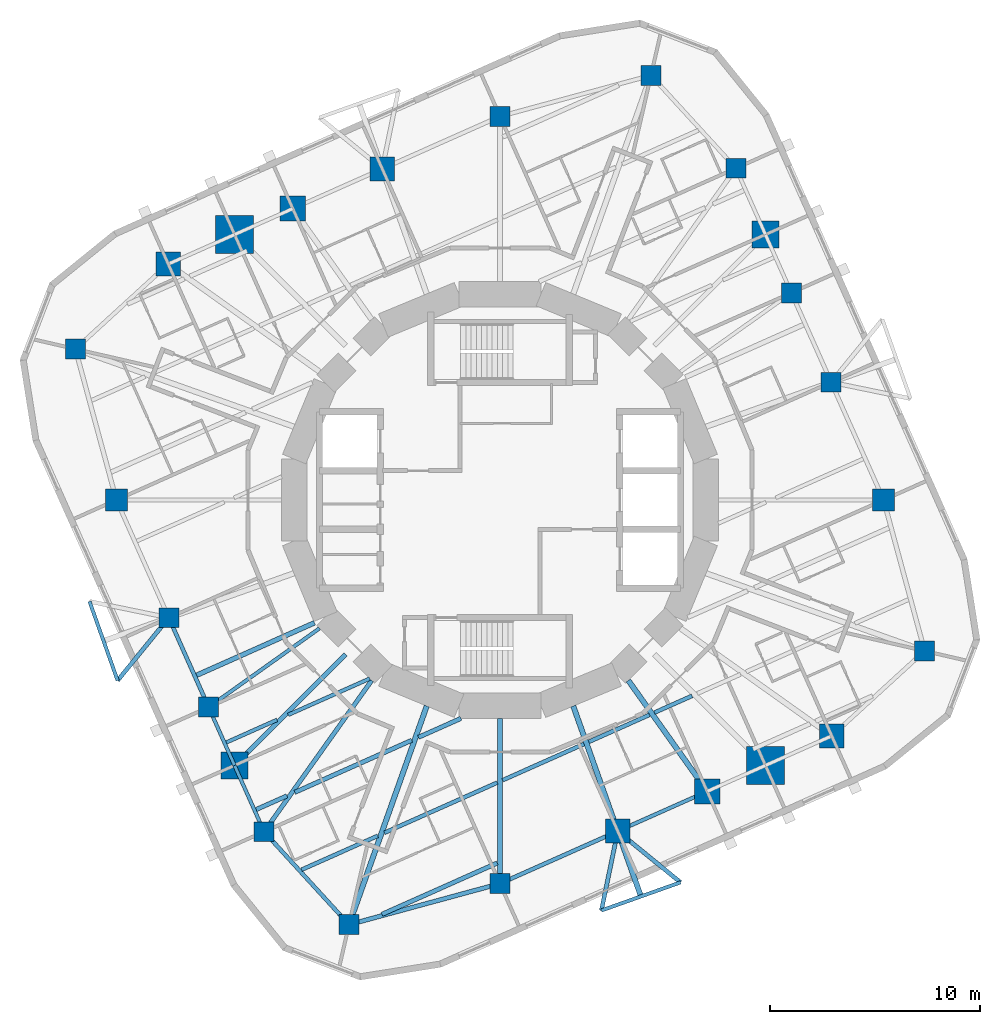
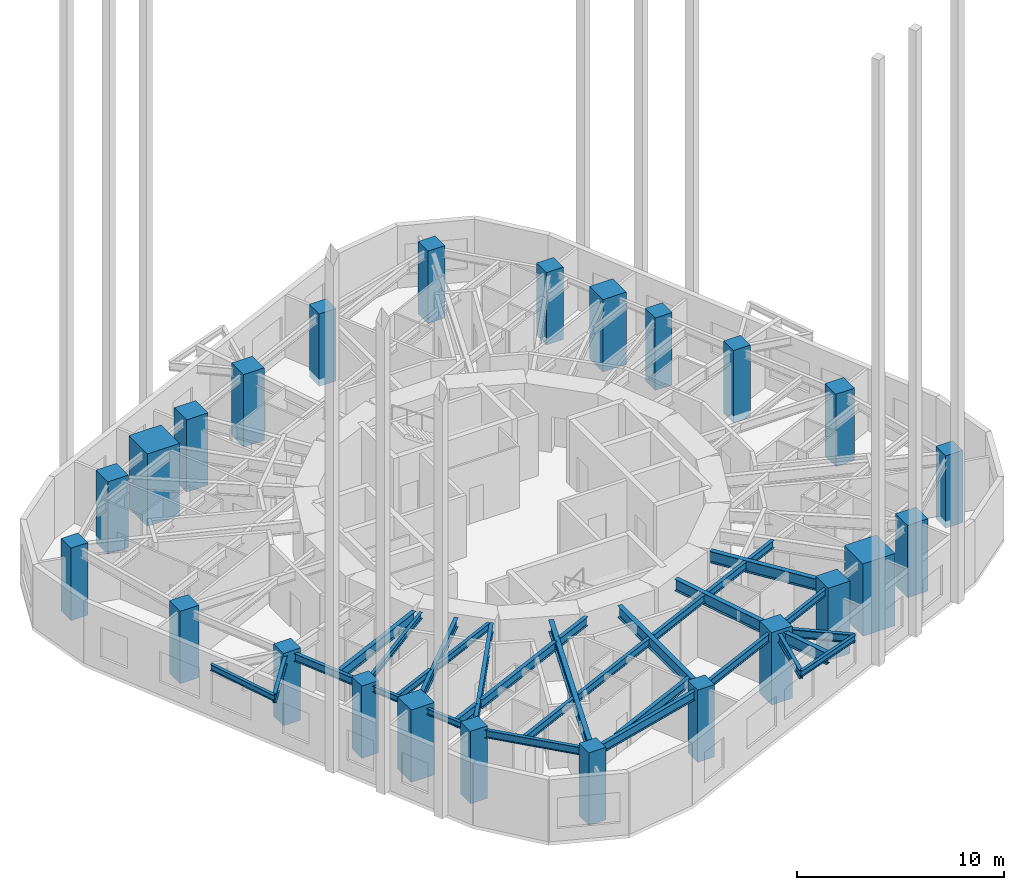
# One storey, part 1 of 11: 31 beams, 24 columns.
"""IFC4 building model written with IfcOpenShell, lengths in metres."""

from ifc_helpers import new_model, si_unit, direction, frame, origin, origin_2d, place, context, subcontext, project, spatial, rectangle, i_section, extrude, material, material_profile, profile_set, type_object, element, save


model = new_model("IFC4")

# Units and contexts
model_context = context("Model", 3, precision=1e-05, world=origin(), true_north=direction((0.0, 1.0)))
body_context = subcontext(model_context, "Body", "Model", "MODEL_VIEW")
ifc_project = project(units=[si_unit("LENGTHUNIT", "METRE"), si_unit("AREAUNIT", "SQUARE_METRE"), si_unit("VOLUMEUNIT", "CUBIC_METRE"), si_unit("PLANEANGLEUNIT", "RADIAN"), si_unit("MASSUNIT", "GRAM", prefix="KILO")], contexts=[model_context])

# Site, building, storey
site_placement = place(None, origin())
site = spatial("IfcSite", under=ifc_project, at=site_placement, CompositionType="ELEMENT")
building_placement = place(site_placement, origin())
building = spatial("IfcBuilding", under=site, at=building_placement, Name="Nakasero Lantern House", CompositionType="ELEMENT")
storey_placement = place(building_placement, frame((0.0, 0.0, 182.449951171875)))
storey = spatial("IfcBuildingStorey", under=building, at=storey_placement, Name="L44", CompositionType="ELEMENT", Elevation=182.449951171875)

# Columns
ifc_material_1 = material(Name="Concrete C45/55", Category="concrete")
ifc_material_profile_1 = material_profile(ifc_material_1, rectangle(XDim=1.300048828125, YDim=1.300048828125, at=origin_2d()), Name="RC 1300x1300")
ifc_profile_set_1 = profile_set([ifc_material_profile_1], Name="Concrete C45/55")
column_type_1 = type_object("IfcColumnType", Name="Mega column RC 1300x1300 C45/55", PredefinedType="COLUMN", material=ifc_profile_set_1)
for number, where, z_axis, x_axis, name in (
    (1, (12.64892578125, 12.64892578125, -0.418212890625), (0.0, 0.0, 1.0), (1.0, 0.0, 0.0), "Column B5-C06 L44"),
    (2, (-12.64892578125, -12.64892578125, -0.418212890625), (0.0, 0.0, 1.0), (1.0, 0.0, 0.0), "Column B5-C18 L44"),
):
    element("IfcColumn", number, at=place(storey_placement, frame(where, z_axis=z_axis, x_axis=x_axis)), inside=storey, type_object=column_type_1, Name=name, PredefinedType="COLUMN", context=body_context, shape_type="SweptSolid", body=[
        extrude(rectangle(XDim=1.300048828125, YDim=1.300048828125, at=origin_2d()), origin(), (0.0, 0.0, 1.0), 4.268310546875),
    ])
ifc_material_2 = material(Name="Concrete C45/55", Category="concrete")
ifc_material_profile_2 = material_profile(ifc_material_2, rectangle(XDim=1.800048828125, YDim=1.800048828125, at=origin_2d()), Name="RC 1800x1800")
ifc_profile_set_2 = profile_set([ifc_material_profile_2], Name="Concrete C45/55")
column_type_2 = type_object("IfcColumnType", Name="Mega column RC 1800x1800 C45/55", PredefinedType="COLUMN", material=ifc_profile_set_2)
for number, where, z_axis, x_axis, name in (
    (3, (-12.64892578125, 12.64892578125, -0.418212890625), (0.0, 0.0, 1.0), (1.0, 0.0, 0.0), "Column B5-C12 L44"),
    (4, (12.64892578125, -12.64892578125, -0.418212890625), (0.0, 0.0, 1.0), (1.0, 0.0, 0.0), "Column B5-C24 L44"),
):
    element("IfcColumn", number, at=place(storey_placement, frame(where, z_axis=z_axis, x_axis=x_axis)), inside=storey, type_object=column_type_2, Name=name, PredefinedType="COLUMN", context=body_context, shape_type="SweptSolid", body=[
        extrude(rectangle(XDim=1.800048828125, YDim=1.800048828125, at=origin_2d()), origin(), (0.0, 0.0, 1.0), 4.268310546875),
    ])
ifc_material_3 = material(Name="Concrete C45/55", Category="concrete")
ifc_material_profile_3 = material_profile(ifc_material_3, rectangle(XDim=1.050048828125, YDim=1.050048828125, at=origin_2d()), Name="RC 1050x1050")
ifc_profile_set_3 = profile_set([ifc_material_profile_3], Name="Concrete C45/55")
column_type_3 = type_object("IfcColumnType", Name="Ring column RC 1050x1050 C45/55", PredefinedType="COLUMN", material=ifc_profile_set_3)
for number, where, z_axis, x_axis, name in (
    (5, (18.280517578125, 0.0, -0.418212890625), (0.0, 0.0, 1.0), (1.0, 0.0, 0.0), "Column B5-C03 L44"),
    (6, (-18.280517578125, 0.0, -0.418212890625), (0.0, 0.0, 1.0), (1.0, 0.0, 0.0), "Column B5-C15 L44"),
):
    element("IfcColumn", number, at=place(storey_placement, frame(where, z_axis=z_axis, x_axis=x_axis)), inside=storey, type_object=column_type_3, Name=name, PredefinedType="COLUMN", context=body_context, shape_type="SweptSolid", body=[
        extrude(rectangle(XDim=1.050048828125, YDim=1.050048828125, at=origin_2d()), origin(), (0.0, 0.0, 1.0), 4.268310546875),
    ])
ifc_material_4 = material(Name="Concrete C45/55", Category="concrete")
ifc_material_profile_4 = material_profile(ifc_material_4, rectangle(XDim=1.14990234375, YDim=1.14990234375, at=origin_2d()), Name="RC 1150x1150")
ifc_profile_set_4 = profile_set([ifc_material_profile_4], Name="Concrete C45/55")
column_type_4 = type_object("IfcColumnType", Name="Ring column RC 1150x1150 C45/55", PredefinedType="COLUMN", material=ifc_profile_set_4)
for number, where, z_axis, x_axis, name in (
    (7, (15.808837890625, -11.241943359375, -0.418212890625), (0.0, 0.0, 1.0), (1.0, 0.0, 0.0), "Column B5-C01 L44"),
    (8, (-5.611328125, 15.781982421875, -0.418212890625), (0.0, 0.0, 1.0), (1.0, 0.0, 0.0), "Column B5-C10 L44"),
    (9, (-15.808837890625, 11.241943359375, -0.418212890625), (0.0, 0.0, 1.0), (1.0, 0.0, 0.0), "Column B5-C13 L44"),
    (10, (5.611328125, -15.781982421875, -0.418212890625), (0.0, 0.0, 1.0), (1.0, 0.0, 0.0), "Column B5-C22 L44"),
):
    element("IfcColumn", number, at=place(storey_placement, frame(where, z_axis=z_axis, x_axis=x_axis)), inside=storey, type_object=column_type_4, Name=name, PredefinedType="COLUMN", context=body_context, shape_type="SweptSolid", body=[
        extrude(rectangle(XDim=1.14990234375, YDim=1.14990234375, at=origin_2d()), origin(), (0.0, 0.0, 1.0), 4.268310546875),
    ])
ifc_material_5 = material(Name="Concrete C45/55", Category="concrete")
ifc_material_profile_5 = material_profile(ifc_material_5, rectangle(XDim=1.199951171875, YDim=1.199951171875, at=origin_2d()), Name="RC 1200x1200")
ifc_profile_set_5 = profile_set([ifc_material_profile_5], Name="Concrete C45/55")
column_type_5 = type_object("IfcColumnType", Name="Ring column RC 1200x1200 C45/55", PredefinedType="COLUMN", material=ifc_profile_set_5)
for number, where, z_axis, x_axis, name in (
    (11, (-9.87353515625, 13.884521484375, -0.418212890625), (0.0, 0.0, 1.0), (1.0, 0.0, 0.0), "Column B5-C11 L44"),
    (12, (9.87353515625, -13.884521484375, -0.418212890625), (0.0, 0.0, 1.0), (1.0, 0.0, 0.0), "Column B5-C23 L44"),
):
    element("IfcColumn", number, at=place(storey_placement, frame(where, z_axis=z_axis, x_axis=x_axis)), inside=storey, type_object=column_type_5, Name=name, PredefinedType="COLUMN", context=body_context, shape_type="SweptSolid", body=[
        extrude(rectangle(XDim=1.199951171875, YDim=1.199951171875, at=origin_2d()), origin(), (0.0, 0.0, 1.0), 4.268310546875),
    ])
ifc_material_6 = material(Name="Concrete C45/55", Category="concrete")
ifc_material_profile_6 = material_profile(ifc_material_6, rectangle(XDim=0.949951171875, YDim=0.949951171875, at=origin_2d()), Name="RC 950x950")
ifc_profile_set_6 = profile_set([ifc_material_profile_6], Name="Concrete C45/55")
column_type_6 = type_object("IfcColumnType", Name="Ring column RC 950x950 C45/55", PredefinedType="COLUMN", material=ifc_profile_set_6)
for number, where, z_axis, x_axis, name in (
    (13, (20.2353515625, -7.19482421875, -0.418212890625), (0.0, 0.0, 1.0), (1.0, 0.0, 0.0), "Column B5-C02 L44"),
    (14, (15.781982421875, 5.611328125, -0.418212890625), (0.0, 0.0, 1.0), (1.0, 0.0, 0.0), "Column B5-C04 L44"),
    (15, (13.884521484375, 9.87353515625, -0.418212890625), (0.0, 0.0, 1.0), (1.0, 0.0, 0.0), "Column B5-C05 L44"),
    (16, (11.241943359375, 15.808837890625, -0.418212890625), (0.0, 0.0, 1.0), (1.0, 0.0, 0.0), "Column B5-C07 L44"),
    (17, (7.19482421875, 20.2353515625, -0.418212890625), (0.0, 0.0, 1.0), (1.0, 0.0, 0.0), "Column B5-C08 L44"),
    (18, (0.0, 18.280517578125, -0.418212890625), (0.0, 0.0, 1.0), (1.0, 0.0, 0.0), "Column B5-C09 L44"),
    (19, (-20.2353515625, 7.19482421875, -0.418212890625), (0.0, 0.0, 1.0), (1.0, 0.0, 0.0), "Column B5-C14 L44"),
    (20, (-15.781982421875, -5.611328125, -0.418212890625), (0.0, 0.0, 1.0), (1.0, 0.0, 0.0), "Column B5-C16 L44"),
    (21, (-13.884521484375, -9.87353515625, -0.418212890625), (0.0, 0.0, 1.0), (1.0, 0.0, 0.0), "Column B5-C17 L44"),
    (22, (-11.241943359375, -15.808837890625, -0.418212890625), (0.0, 0.0, 1.0), (1.0, 0.0, 0.0), "Column B5-C19 L44"),
    (23, (-7.19482421875, -20.2353515625, -0.418212890625), (0.0, 0.0, 1.0), (1.0, 0.0, 0.0), "Column B5-C20 L44"),
    (24, (0.0, -18.280517578125, -0.418212890625), (0.0, 0.0, 1.0), (1.0, 0.0, 0.0), "Column B5-C21 L44"),
):
    element("IfcColumn", number, at=place(storey_placement, frame(where, z_axis=z_axis, x_axis=x_axis)), inside=storey, type_object=column_type_6, Name=name, PredefinedType="COLUMN", context=body_context, shape_type="SweptSolid", body=[
        extrude(rectangle(XDim=0.949951171875, YDim=0.949951171875, at=origin_2d()), origin(), (0.0, 0.0, 1.0), 4.268310546875),
    ])

# Beams
ifc_material_7 = material(Name="Steel S355", Category="steel")
ifc_material_profile_7 = material_profile(ifc_material_7, i_section(OverallWidth=0.199462890625, OverallDepth=0.491943359375, WebThickness=0.01806640625, FlangeThickness=0.031982421875, FilletRadius=0.01025390625, at=origin_2d()), Name="UB 457x191x161")
ifc_profile_set_7 = profile_set([ifc_material_profile_7], Name="Steel S355")
beam_type_1 = type_object("IfcBeamType", Name="Balcony splay beam UB 457x191x161", PredefinedType="BEAM", material=ifc_profile_set_7)
for number, where, z_axis, x_axis, name in (
    (25, (-15.781982421875, -5.611328125, 3.404052734375), (-0.632165712937, -0.774833215206, 0.0), (0.774833215206, -0.632165712937, 0.0), "Balcony splay beam L45 B5-C16A"),
    (26, (5.611328125, -15.781982421875, 3.404052734375), (0.774833215206, -0.632165712937, 0.0), (0.632165712937, 0.774833215206, 0.0), "Balcony splay beam L45 B5-C22A"),
):
    element("IfcBeam", number, at=place(storey_placement, frame(where, z_axis=z_axis, x_axis=x_axis)), inside=storey, type_object=beam_type_1, Name=name, PredefinedType="BEAM", context=body_context, shape_type="SweptSolid", body=[
        extrude(i_section(OverallWidth=0.199462890625, OverallDepth=0.491943359375, WebThickness=0.01806640625, FlangeThickness=0.031982421875, FilletRadius=0.01025390625, at=origin_2d()), origin(), (0.0, 0.0, 1.0), 3.85888671875),
    ])
beam_1_placement = place(storey_placement, frame((5.611328125, -15.781982421875, 3.404052734375), z_axis=(-0.201831438605, -0.979420272605, 0.0), x_axis=(0.979420272605, -0.201831438605, 0.0)))
element("IfcBeam", 27, at=beam_1_placement, inside=storey, type_object=beam_type_1, Name="Balcony splay beam L45 B5-C22B", PredefinedType="BEAM", context=body_context, shape_type="SweptSolid", body=[
    extrude(i_section(OverallWidth=0.199462890625, OverallDepth=0.491943359375, WebThickness=0.01806640625, FlangeThickness=0.031982421875, FilletRadius=0.01025390625, at=origin_2d()), origin(), (0.0, 0.0, 1.0), 3.858642578125),
])
ifc_material_8 = material(Name="Steel S355", Category="steel")
ifc_material_profile_8 = material_profile(ifc_material_8, i_section(OverallWidth=0.17138671875, OverallDepth=0.35498046875, WebThickness=0.00732421875, FlangeThickness=0.011474609375, FilletRadius=0.01025390625, at=origin_2d()), Name="UB 356x171x51")
ifc_profile_set_8 = profile_set([ifc_material_profile_8], Name="Steel S355")
beam_type_2 = type_object("IfcBeamType", Name="Balcony tie beam UB 356x171x51", PredefinedType="BEAM", material=ifc_profile_set_8)
for number, where, z_axis, x_axis, name in (
    (28, (-18.221435546875, -8.601318359375, 3.47265625), (-0.334971134582, 0.94222839004, 0.0), (-0.94222839004, -0.334971134582, 0.0), "Balcony tie beam L45 B5-C16"),
    (29, (8.601318359375, -18.221435546875, 3.47265625), (-0.94222839004, -0.334971134582, 0.0), (0.334971134582, -0.94222839004, 0.0), "Balcony tie beam L45 B5-C22"),
):
    element("IfcBeam", number, at=place(storey_placement, frame(where, z_axis=z_axis, x_axis=x_axis)), inside=storey, type_object=beam_type_2, Name=name, PredefinedType="BEAM", context=body_context, shape_type="SweptSolid", body=[
        extrude(i_section(OverallWidth=0.17138671875, OverallDepth=0.35498046875, WebThickness=0.00732421875, FlangeThickness=0.011474609375, FilletRadius=0.01025390625, at=origin_2d()), origin(), (0.0, 0.0, 1.0), 4.0),
    ])
ifc_material_9 = material(Name="Steel S355", Category="steel")
ifc_material_profile_9 = material_profile(ifc_material_9, i_section(OverallWidth=0.177978515625, OverallDepth=0.406494140625, WebThickness=0.0078125, FlangeThickness=0.0126953125, FilletRadius=0.01025390625, at=origin_2d()), Name="UB 406x178x60")
ifc_profile_set_9 = profile_set([ifc_material_profile_9], Name="Steel S355")
beam_type_3 = type_object("IfcBeamType", Name="Infill beam UB 406x178x60", PredefinedType="JOIST", material=ifc_profile_set_9)
beam_2_placement = place(storey_placement, frame((-13.04248046875, -11.5537109375, 3.44677734375), z_axis=(0.913529602849, 0.406772251658, 0.0), x_axis=(-0.406772251658, 0.913529602849, 0.0)))
element("IfcBeam", 30, at=beam_2_placement, inside=storey, type_object=beam_type_3, Name="Infill beam L45 06.1", PredefinedType="JOIST", context=body_context, shape_type="SweptSolid", body=[
    extrude(i_section(OverallWidth=0.177978515625, OverallDepth=0.406494140625, WebThickness=0.0078125, FlangeThickness=0.0126953125, FilletRadius=0.01025390625, at=origin_2d()), origin(), (0.0, 0.0, 1.0), 2.64453125),
])
beam_3_placement = place(storey_placement, frame((-10.09130859375, -10.23974609375, 3.44677734375), z_axis=(0.91354134882, 0.406745871517, 0.0), x_axis=(-0.406745871517, 0.91354134882, 0.0)))
element("IfcBeam", 31, at=beam_3_placement, inside=storey, type_object=beam_type_3, Name="Infill beam L45 06.2", PredefinedType="JOIST", context=body_context, shape_type="SweptSolid", body=[
    extrude(i_section(OverallWidth=0.177978515625, OverallDepth=0.406494140625, WebThickness=0.0078125, FlangeThickness=0.0126953125, FilletRadius=0.01025390625, at=origin_2d()), origin(), (0.0, 0.0, 1.0), 4.250732421875),
])
ifc_material_10 = material(Name="Steel S355", Category="steel")
ifc_material_profile_10 = material_profile(ifc_material_10, i_section(OverallWidth=0.18994140625, OverallDepth=0.453369140625, WebThickness=0.008544921875, FlangeThickness=0.0126953125, FilletRadius=0.01025390625, at=origin_2d()), Name="UB 457x191x67")
ifc_profile_set_10 = profile_set([ifc_material_profile_10], Name="Steel S355")
beam_type_4 = type_object("IfcBeamType", Name="Infill beam UB 457x191x67", PredefinedType="JOIST", material=ifc_profile_set_10)
beam_4_placement = place(storey_placement, frame((-9.457275390625, -17.619873046875, 3.42333984375), z_axis=(0.91354552237, 0.406736497695, 0.0), x_axis=(-0.406736497695, 0.91354552237, 0.0)))
element("IfcBeam", 32, at=beam_4_placement, inside=storey, type_object=beam_type_4, Name="Infill beam L45 04.1", PredefinedType="JOIST", context=body_context, shape_type="SweptSolid", body=[
    extrude(i_section(OverallWidth=0.18994140625, OverallDepth=0.453369140625, WebThickness=0.008544921875, FlangeThickness=0.0126953125, FilletRadius=0.01025390625, at=origin_2d()), origin(), (0.0, 0.0, 1.0), 3.9765625),
])
beam_5_placement = place(storey_placement, frame((-5.50439453125, -15.860107421875, 3.42333984375), z_axis=(0.913539401307, 0.406750245556, 0.0), x_axis=(-0.406750245556, 0.913539401307, 0.0)))
element("IfcBeam", 33, at=beam_5_placement, inside=storey, type_object=beam_type_4, Name="Infill beam L45 04.2", PredefinedType="JOIST", context=body_context, shape_type="SweptSolid", body=[
    extrude(i_section(OverallWidth=0.18994140625, OverallDepth=0.453369140625, WebThickness=0.008544921875, FlangeThickness=0.0126953125, FilletRadius=0.01025390625, at=origin_2d()), origin(), (0.0, 0.0, 1.0), 5.886474609375),
])
beam_6_placement = place(storey_placement, frame((0.126953125, -13.352783203125, 3.42333984375), z_axis=(0.913547765637, 0.406731459196, 0.0), x_axis=(-0.406731459196, 0.913547765637, 0.0)))
element("IfcBeam", 34, at=beam_6_placement, inside=storey, type_object=beam_type_4, Name="Infill beam L45 04.3", PredefinedType="JOIST", context=body_context, shape_type="SweptSolid", body=[
    extrude(i_section(OverallWidth=0.18994140625, OverallDepth=0.453369140625, WebThickness=0.008544921875, FlangeThickness=0.0126953125, FilletRadius=0.01025390625, at=origin_2d()), origin(), (0.0, 0.0, 1.0), 4.239501953125),
])
beam_7_placement = place(storey_placement, frame((4.232421875, -11.52490234375, 3.42333984375), z_axis=(0.913537828269, 0.406753778497, 0.0), x_axis=(-0.406753778497, 0.913537828269, 0.0)))
element("IfcBeam", 35, at=beam_7_placement, inside=storey, type_object=beam_type_4, Name="Infill beam L45 04.4", PredefinedType="JOIST", context=body_context, shape_type="SweptSolid", body=[
    extrude(i_section(OverallWidth=0.18994140625, OverallDepth=0.453369140625, WebThickness=0.008544921875, FlangeThickness=0.0126953125, FilletRadius=0.01025390625, at=origin_2d()), origin(), (0.0, 0.0, 1.0), 3.16552734375),
])
beam_8_placement = place(storey_placement, frame((7.360595703125, -10.132080078125, 3.42333984375), z_axis=(0.913539401307, 0.406750245556, 0.0), x_axis=(-0.406750245556, 0.913539401307, 0.0)))
element("IfcBeam", 36, at=beam_8_placement, inside=storey, type_object=beam_type_4, Name="Infill beam L45 04.5", PredefinedType="JOIST", context=body_context, shape_type="SweptSolid", body=[
    extrude(i_section(OverallWidth=0.18994140625, OverallDepth=0.453369140625, WebThickness=0.008544921875, FlangeThickness=0.0126953125, FilletRadius=0.01025390625, at=origin_2d()), origin(), (0.0, 0.0, 1.0), 1.962158203125),
])
ifc_material_11 = material(Name="Steel S355", Category="steel")
ifc_material_profile_11 = material_profile(ifc_material_11, i_section(OverallWidth=0.2099609375, OverallDepth=0.53662109375, WebThickness=0.0107421875, FlangeThickness=0.017333984375, FilletRadius=0.0126953125, at=origin_2d()), Name="UB 533x210x101")
ifc_profile_set_11 = profile_set([ifc_material_profile_11], Name="Steel S355")
beam_type_5 = type_object("IfcBeamType", Name="Infill beam UB 533x210x101", PredefinedType="JOIST", material=ifc_profile_set_11)
beam_9_placement = place(storey_placement, frame((-5.626708984375, -19.745849609375, 3.381591796875), z_axis=(0.913540433669, 0.406747926919, 0.0), x_axis=(-0.406747926919, 0.913540433669, 0.0)))
element("IfcBeam", 37, at=beam_9_placement, inside=storey, type_object=beam_type_5, Name="Infill beam L45 03.1", PredefinedType="JOIST", context=body_context, shape_type="SweptSolid", body=[
    extrude(i_section(OverallWidth=0.2099609375, OverallDepth=0.53662109375, WebThickness=0.0107421875, FlangeThickness=0.017333984375, FilletRadius=0.0126953125, at=origin_2d()), origin(), (0.0, 0.0, 1.0), 6.020263671875),
])
ifc_material_12 = material(Name="Steel S355", Category="steel")
ifc_material_profile_12 = material_profile(ifc_material_12, i_section(OverallWidth=0.208740234375, OverallDepth=0.5283203125, WebThickness=0.009521484375, FlangeThickness=0.01318359375, FilletRadius=0.0126953125, at=origin_2d()), Name="UB 533x210x82")
ifc_profile_set_12 = profile_set([ifc_material_profile_12], Name="Steel S355")
beam_type_6 = type_object("IfcBeamType", Name="Infill beam UB 533x210x82", PredefinedType="JOIST", material=ifc_profile_set_12)
beam_10_placement = place(storey_placement, frame((-11.618896484375, -14.751220703125, 3.385986328125), z_axis=(0.913522313414, 0.406788621884, 0.0), x_axis=(-0.406788621884, 0.913522313414, 0.0)))
element("IfcBeam", 38, at=beam_10_placement, inside=storey, type_object=beam_type_6, Name="Infill beam L45 05.1", PredefinedType="JOIST", context=body_context, shape_type="SweptSolid", body=[
    extrude(i_section(OverallWidth=0.208740234375, OverallDepth=0.5283203125, WebThickness=0.009521484375, FlangeThickness=0.01318359375, FilletRadius=0.0126953125, at=origin_2d()), origin(), (0.0, 0.0, 1.0), 1.6025390625),
])
beam_11_placement = place(storey_placement, frame((-9.778076171875, -13.931640625, 3.385986328125), z_axis=(0.913537341067, 0.406754872713, 0.0), x_axis=(-0.406754872713, 0.913537341067, 0.0)))
element("IfcBeam", 39, at=beam_11_placement, inside=storey, type_object=beam_type_6, Name="Infill beam L45 05.2", PredefinedType="JOIST", context=body_context, shape_type="SweptSolid", body=[
    extrude(i_section(OverallWidth=0.208740234375, OverallDepth=0.5283203125, WebThickness=0.009521484375, FlangeThickness=0.01318359375, FilletRadius=0.0126953125, at=origin_2d()), origin(), (0.0, 0.0, 1.0), 6.099365234375),
])
beam_12_placement = place(storey_placement, frame((-3.885986328125, -11.308349609375, 3.385986328125), z_axis=(0.913538457968, 0.406752364238, 0.0), x_axis=(-0.406752364238, 0.913538457968, 0.0)))
element("IfcBeam", 40, at=beam_12_placement, inside=storey, type_object=beam_type_6, Name="Infill beam L45 05.3", PredefinedType="JOIST", context=body_context, shape_type="SweptSolid", body=[
    extrude(i_section(OverallWidth=0.208740234375, OverallDepth=0.5283203125, WebThickness=0.009521484375, FlangeThickness=0.01318359375, FilletRadius=0.0126953125, at=origin_2d()), origin(), (0.0, 0.0, 1.0), 2.213623046875),
])
ifc_material_13 = material(Name="Steel S355", Category="steel")
ifc_material_profile_13 = material_profile(ifc_material_13, i_section(OverallWidth=0.22900390625, OverallDepth=0.6123046875, WebThickness=0.011962890625, FlangeThickness=0.01953125, FilletRadius=0.0126953125, at=origin_2d()), Name="UB 610x229x125")
ifc_profile_set_13 = profile_set([ifc_material_profile_13], Name="Steel S355")
beam_type_7 = type_object("IfcBeamType", Name="Infill beam UB 610x229x125", PredefinedType="JOIST", material=ifc_profile_set_13)
beam_13_placement = place(storey_placement, frame((-14.457763671875, -8.3525390625, 3.343994140625), z_axis=(0.913552627294, 0.406720539393, 0.0), x_axis=(-0.406720539393, 0.913552627294, 0.0)))
element("IfcBeam", 41, at=beam_13_placement, inside=storey, type_object=beam_type_7, Name="Infill beam L45 07.1", PredefinedType="JOIST", context=body_context, shape_type="SweptSolid", body=[
    extrude(i_section(OverallWidth=0.22900390625, OverallDepth=0.6123046875, WebThickness=0.011962890625, FlangeThickness=0.01953125, FilletRadius=0.0126953125, at=origin_2d()), origin(), (0.0, 0.0, 1.0), 6.14794921875),
])
ifc_material_14 = material(Name="Steel S355", Category="steel")
ifc_material_profile_14 = material_profile(ifc_material_14, i_section(OverallWidth=0.17138671875, OverallDepth=0.35498046875, WebThickness=0.00732421875, FlangeThickness=0.011474609375, FilletRadius=0.01025390625, at=origin_2d()), Name="UB 356x171x51")
ifc_profile_set_14 = profile_set([ifc_material_profile_14], Name="Steel S355")
beam_type_8 = type_object("IfcBeamType", Name="Primary beam UB 356x171x51, span 6 to 9 m", PredefinedType="BEAM", material=ifc_profile_set_14)
beam_14_placement = place(storey_placement, frame((-13.884521484375, -9.87353515625, 3.47265625), z_axis=(0.8149430702, 0.57954101868, 0.0), x_axis=(-0.57954101868, 0.8149430702, 0.0)))
element("IfcBeam", 42, at=beam_14_placement, inside=storey, type_object=beam_type_8, Name="Primary beam L45 B5-C17", PredefinedType="BEAM", context=body_context, shape_type="SweptSolid", body=[
    extrude(i_section(OverallWidth=0.17138671875, OverallDepth=0.35498046875, WebThickness=0.00732421875, FlangeThickness=0.011474609375, FilletRadius=0.01025390625, at=origin_2d()), origin(), (0.0, 0.0, 1.0), 6.48193359375),
])
ifc_material_15 = material(Name="Steel S355", Category="steel")
ifc_material_profile_15 = material_profile(ifc_material_15, i_section(OverallWidth=0.2099609375, OverallDepth=0.53662109375, WebThickness=0.0107421875, FlangeThickness=0.017333984375, FilletRadius=0.0126953125, at=origin_2d()), Name="UB 533x210x101")
ifc_profile_set_15 = profile_set([ifc_material_profile_15], Name="Steel S355")
beam_type_9 = type_object("IfcBeamType", Name="Primary beam UB 533x210x101, span 6 to 9 m", PredefinedType="BEAM", material=ifc_profile_set_15)
beam_15_placement = place(storey_placement, frame((-12.64892578125, -12.64892578125, 3.381591796875), z_axis=(0.707106781187, 0.707106781187, 0.0), x_axis=(-0.707106781187, 0.707106781187, 0.0)))
element("IfcBeam", 43, at=beam_15_placement, inside=storey, type_object=beam_type_9, Name="Primary beam L45 B5-C18", PredefinedType="BEAM", context=body_context, shape_type="SweptSolid", body=[
    extrude(i_section(OverallWidth=0.2099609375, OverallDepth=0.53662109375, WebThickness=0.0107421875, FlangeThickness=0.017333984375, FilletRadius=0.0126953125, at=origin_2d()), origin(), (0.0, 0.0, 1.0), 7.48046875),
])
beam_16_placement = place(storey_placement, frame((-11.241943359375, -15.808837890625, 3.381591796875), z_axis=(0.579536824926, 0.814946052543, 0.0), x_axis=(-0.814946052543, 0.579536824926, 0.0)))
element("IfcBeam", 44, at=beam_16_placement, inside=storey, type_object=beam_type_9, Name="Primary beam L45 B5-C19", PredefinedType="BEAM", context=body_context, shape_type="SweptSolid", body=[
    extrude(i_section(OverallWidth=0.2099609375, OverallDepth=0.53662109375, WebThickness=0.0107421875, FlangeThickness=0.017333984375, FilletRadius=0.0126953125, at=origin_2d()), origin(), (0.0, 0.0, 1.0), 8.84326171875),
])
ifc_material_16 = material(Name="Steel S355", Category="steel")
ifc_material_profile_16 = material_profile(ifc_material_16, i_section(OverallWidth=0.253662109375, OverallDepth=0.68359375, WebThickness=0.012451171875, FlangeThickness=0.01904296875, FilletRadius=0.01513671875, at=origin_2d()), Name="UB 686x254x140")
ifc_profile_set_16 = profile_set([ifc_material_profile_16], Name="Steel S355")
beam_type_10 = type_object("IfcBeamType", Name="Primary beam UB 686x254x140, span 6 to 9 m", PredefinedType="BEAM", material=ifc_profile_set_16)
beam_17_placement = place(storey_placement, frame((0.0, -18.280517578125, 3.308349609375), z_axis=(0.0, 1.0, 0.0), x_axis=(-1.0, 0.0, 0.0)))
element("IfcBeam", 45, at=beam_17_placement, inside=storey, type_object=beam_type_10, Name="Primary beam L45 B5-C21", PredefinedType="BEAM", context=body_context, shape_type="SweptSolid", body=[
    extrude(i_section(OverallWidth=0.253662109375, OverallDepth=0.68359375, WebThickness=0.012451171875, FlangeThickness=0.01904296875, FilletRadius=0.01513671875, at=origin_2d()), origin(), (0.0, 0.0, 1.0), 7.87255859375),
])
beam_18_placement = place(storey_placement, frame((6.717041015625, -18.891357421875, 3.308349609375), z_axis=(-0.335030177005, 0.942207397814, 0.0), x_axis=(-0.942207397814, -0.335030177005, 0.0)))
element("IfcBeam", 46, at=beam_18_placement, inside=storey, type_object=beam_type_10, Name="Primary beam L45 B5-C22", PredefinedType="BEAM", context=body_context, shape_type="SweptSolid", body=[
    extrude(i_section(OverallWidth=0.253662109375, OverallDepth=0.68359375, WebThickness=0.012451171875, FlangeThickness=0.01904296875, FilletRadius=0.01513671875, at=origin_2d()), origin(), (0.0, 0.0, 1.0), 9.62841796875),
])
beam_19_placement = place(storey_placement, frame((9.87353515625, -13.884521484375, 3.308349609375), z_axis=(-0.57954101868, 0.8149430702, 0.0), x_axis=(-0.8149430702, -0.57954101868, 0.0)))
element("IfcBeam", 47, at=beam_19_placement, inside=storey, type_object=beam_type_10, Name="Primary beam L45 B5-C23", PredefinedType="BEAM", context=body_context, shape_type="SweptSolid", body=[
    extrude(i_section(OverallWidth=0.253662109375, OverallDepth=0.68359375, WebThickness=0.012451171875, FlangeThickness=0.01904296875, FilletRadius=0.01513671875, at=origin_2d()), origin(), (0.0, 0.0, 1.0), 6.48193359375),
])
ifc_material_17 = material(Name="Steel S355", Category="steel")
ifc_material_profile_17 = material_profile(ifc_material_17, i_section(OverallWidth=0.253662109375, OverallDepth=0.68359375, WebThickness=0.012451171875, FlangeThickness=0.01904296875, FilletRadius=0.01513671875, at=origin_2d()), Name="UB 686x254x140")
ifc_profile_set_17 = profile_set([ifc_material_profile_17], Name="Steel S355")
beam_type_11 = type_object("IfcBeamType", Name="Primary beam UB 686x254x140, span 9 to 12 m", PredefinedType="BEAM", material=ifc_profile_set_17)
beam_20_placement = place(storey_placement, frame((-7.19482421875, -20.2353515625, 3.308349609375), z_axis=(0.335020995468, 0.942210662535, 0.0), x_axis=(-0.942210662535, 0.335020995468, 0.0)))
element("IfcBeam", 48, at=beam_20_placement, inside=storey, type_object=beam_type_11, Name="Primary beam L45 B5-C20", PredefinedType="BEAM", context=body_context, shape_type="SweptSolid", body=[
    extrude(i_section(OverallWidth=0.253662109375, OverallDepth=0.68359375, WebThickness=0.012451171875, FlangeThickness=0.01904296875, FilletRadius=0.01513671875, at=origin_2d()), origin(), (0.0, 0.0, 1.0), 11.054931640625),
])
ifc_material_18 = material(Name="Steel S355", Category="steel")
ifc_material_profile_18 = material_profile(ifc_material_18, i_section(OverallWidth=0.17138671875, OverallDepth=0.35498046875, WebThickness=0.00732421875, FlangeThickness=0.011474609375, FilletRadius=0.01025390625, at=origin_2d()), Name="UB 356x171x51")
ifc_profile_set_18 = profile_set([ifc_material_profile_18], Name="Steel S355")
beam_type_12 = type_object("IfcBeamType", Name="Ring beam UB 356x171x51", PredefinedType="BEAM", material=ifc_profile_set_18)
beam_21_placement = place(storey_placement, frame((-13.884521484375, -9.87353515625, 3.47265625), z_axis=(0.40671251915, -0.913556197925, 0.0), x_axis=(0.913556197925, 0.40671251915, 0.0)))
element("IfcBeam", 49, at=beam_21_placement, inside=storey, type_object=beam_type_12, Name="Ring beam L45 B5-C17", PredefinedType="BEAM", context=body_context, shape_type="SweptSolid", body=[
    extrude(i_section(OverallWidth=0.17138671875, OverallDepth=0.35498046875, WebThickness=0.00732421875, FlangeThickness=0.011474609375, FilletRadius=0.01025390625, at=origin_2d()), origin(), (0.0, 0.0, 1.0), 3.0380859375),
])
beam_22_placement = place(storey_placement, frame((-12.64892578125, -12.64892578125, 3.47265625), z_axis=(0.406760506795, -0.913534832457, 0.0), x_axis=(0.913534832457, 0.406760506795, 0.0)))
element("IfcBeam", 50, at=beam_22_placement, inside=storey, type_object=beam_type_12, Name="Ring beam L45 B5-C18", PredefinedType="BEAM", context=body_context, shape_type="SweptSolid", body=[
    extrude(i_section(OverallWidth=0.17138671875, OverallDepth=0.35498046875, WebThickness=0.00732421875, FlangeThickness=0.011474609375, FilletRadius=0.01025390625, at=origin_2d()), origin(), (0.0, 0.0, 1.0), 3.458984375),
])
ifc_material_19 = material(Name="Steel S355", Category="steel")
ifc_material_profile_19 = material_profile(ifc_material_19, i_section(OverallWidth=0.177978515625, OverallDepth=0.406494140625, WebThickness=0.0078125, FlangeThickness=0.0126953125, FilletRadius=0.01025390625, at=origin_2d()), Name="UB 406x178x60")
ifc_profile_set_19 = profile_set([ifc_material_profile_19], Name="Steel S355")
beam_type_13 = type_object("IfcBeamType", Name="Ring beam UB 406x178x60", PredefinedType="BEAM", material=ifc_profile_set_19)
beam_23_placement = place(storey_placement, frame((5.611328125, -15.781982421875, 3.44677734375), z_axis=(0.913561058639, 0.406701600856, 0.0), x_axis=(-0.406701600856, 0.913561058639, 0.0)))
element("IfcBeam", 51, at=beam_23_placement, inside=storey, type_object=beam_type_13, Name="Ring beam L45 B5-C22", PredefinedType="BEAM", context=body_context, shape_type="SweptSolid", body=[
    extrude(i_section(OverallWidth=0.177978515625, OverallDepth=0.406494140625, WebThickness=0.0078125, FlangeThickness=0.0126953125, FilletRadius=0.01025390625, at=origin_2d()), origin(), (0.0, 0.0, 1.0), 4.66552734375),
])
ifc_material_20 = material(Name="Steel S355", Category="steel")
ifc_material_profile_20 = material_profile(ifc_material_20, i_section(OverallWidth=0.18994140625, OverallDepth=0.453369140625, WebThickness=0.008544921875, FlangeThickness=0.0126953125, FilletRadius=0.01025390625, at=origin_2d()), Name="UB 457x191x67")
ifc_profile_set_20 = profile_set([ifc_material_profile_20], Name="Steel S355")
beam_type_14 = type_object("IfcBeamType", Name="Ring beam UB 457x191x67", PredefinedType="BEAM", material=ifc_profile_set_20)
beam_24_placement = place(storey_placement, frame((-15.781982421875, -5.611328125, 3.42333984375), z_axis=(0.406701600856, -0.913561058639, 0.0), x_axis=(0.913561058639, 0.406701600856, 0.0)))
element("IfcBeam", 52, at=beam_24_placement, inside=storey, type_object=beam_type_14, Name="Ring beam L45 B5-C16", PredefinedType="BEAM", context=body_context, shape_type="SweptSolid", body=[
    extrude(i_section(OverallWidth=0.18994140625, OverallDepth=0.453369140625, WebThickness=0.008544921875, FlangeThickness=0.0126953125, FilletRadius=0.01025390625, at=origin_2d()), origin(), (0.0, 0.0, 1.0), 4.66552734375),
])
beam_25_placement = place(storey_placement, frame((-11.241943359375, -15.808837890625, 3.42333984375), z_axis=(0.674771099966, -0.73802707447, 0.0), x_axis=(0.73802707447, 0.674771099966, 0.0)))
element("IfcBeam", 53, at=beam_25_placement, inside=storey, type_object=beam_type_14, Name="Ring beam L45 B5-C19", PredefinedType="BEAM", context=body_context, shape_type="SweptSolid", body=[
    extrude(i_section(OverallWidth=0.18994140625, OverallDepth=0.453369140625, WebThickness=0.008544921875, FlangeThickness=0.0126953125, FilletRadius=0.01025390625, at=origin_2d()), origin(), (0.0, 0.0, 1.0), 5.997802734375),
])
ifc_material_21 = material(Name="Steel S355", Category="steel")
ifc_material_profile_21 = material_profile(ifc_material_21, i_section(OverallWidth=0.19140625, OverallDepth=0.4599609375, WebThickness=0.010009765625, FlangeThickness=0.01611328125, FilletRadius=0.01025390625, at=origin_2d()), Name="UB 457x191x82")
ifc_profile_set_21 = profile_set([ifc_material_profile_21], Name="Steel S355")
beam_type_15 = type_object("IfcBeamType", Name="Ring beam UB 457x191x82", PredefinedType="BEAM", material=ifc_profile_set_21)
beam_26_placement = place(storey_placement, frame((0.0, -18.280517578125, 3.420166015625), z_axis=(0.913532698569, 0.406765299215, 0.0), x_axis=(-0.406765299215, 0.913532698569, 0.0)))
element("IfcBeam", 54, at=beam_26_placement, inside=storey, type_object=beam_type_15, Name="Ring beam L45 B5-C21", PredefinedType="BEAM", context=body_context, shape_type="SweptSolid", body=[
    extrude(i_section(OverallWidth=0.19140625, OverallDepth=0.4599609375, WebThickness=0.010009765625, FlangeThickness=0.01611328125, FilletRadius=0.01025390625, at=origin_2d()), origin(), (0.0, 0.0, 1.0), 6.142333984375),
])
ifc_material_22 = material(Name="Steel S355", Category="steel")
ifc_material_profile_22 = material_profile(ifc_material_22, i_section(OverallWidth=0.208740234375, OverallDepth=0.5283203125, WebThickness=0.009521484375, FlangeThickness=0.01318359375, FilletRadius=0.0126953125, at=origin_2d()), Name="UB 533x210x82")
ifc_profile_set_22 = profile_set([ifc_material_profile_22], Name="Steel S355")
beam_type_16 = type_object("IfcBeamType", Name="Ring beam UB 533x210x82", PredefinedType="BEAM", material=ifc_profile_set_22)
beam_27_placement = place(storey_placement, frame((-7.19482421875, -20.2353515625, 3.385986328125), z_axis=(0.965015017941, 0.26219461312, 0.0), x_axis=(-0.26219461312, 0.965015017941, 0.0)))
element("IfcBeam", 55, at=beam_27_placement, inside=storey, type_object=beam_type_16, Name="Ring beam L45 B5-C20", PredefinedType="BEAM", context=body_context, shape_type="SweptSolid", body=[
    extrude(i_section(OverallWidth=0.208740234375, OverallDepth=0.5283203125, WebThickness=0.009521484375, FlangeThickness=0.01318359375, FilletRadius=0.0126953125, at=origin_2d()), origin(), (0.0, 0.0, 1.0), 7.45556640625),
])

save(model, "model.ifc")
